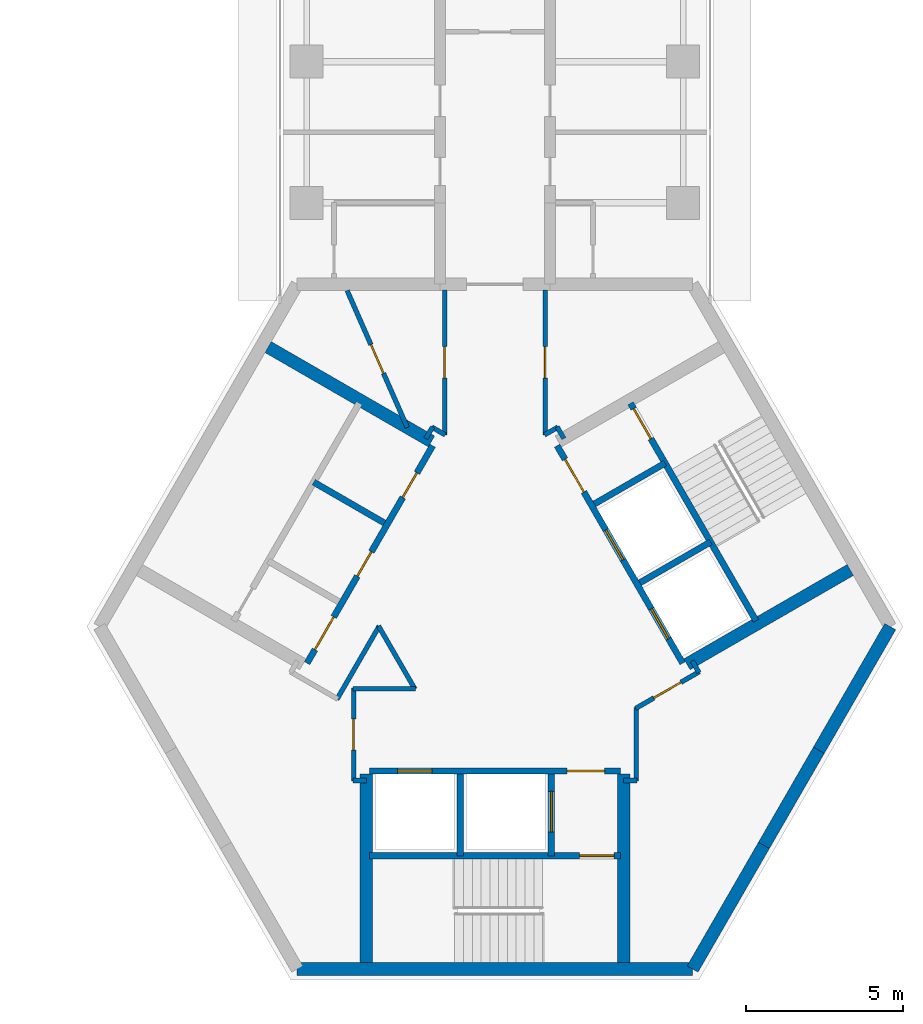
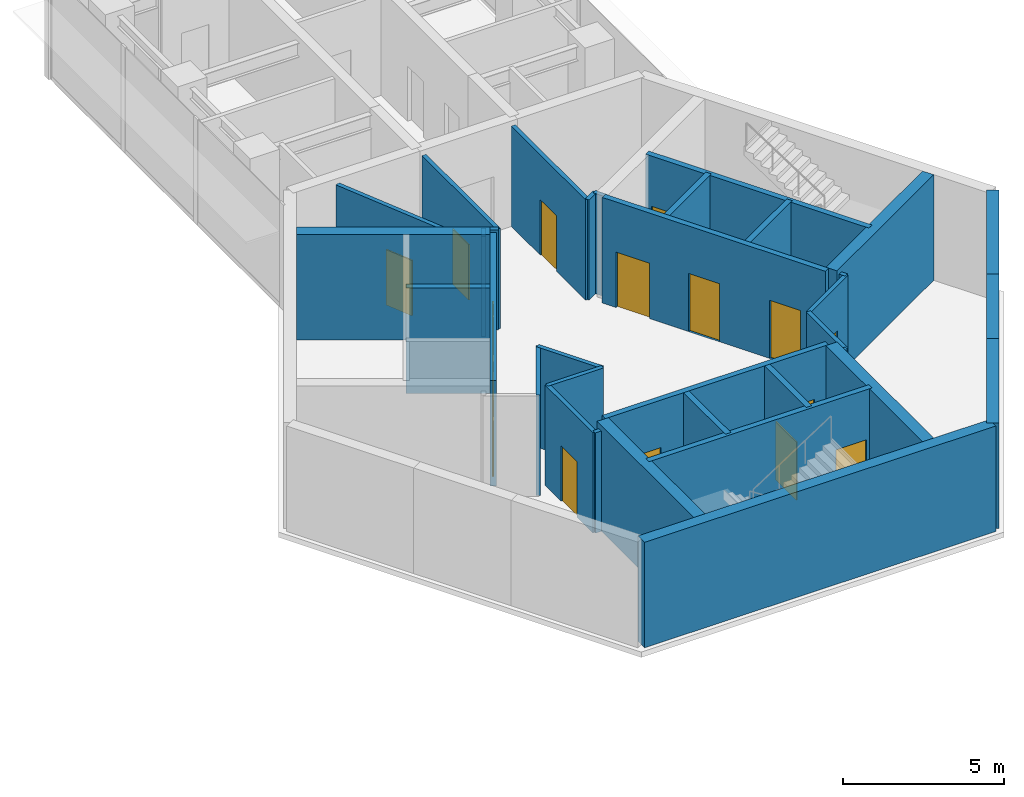
# One storey, part 8 of 11: 34 walls, 16 doors, 16 openings.
"""IFC4 building model written with IfcOpenShell, lengths in metres."""

from ifc_helpers import new_model, si_unit, direction, frame, frame_2d, origin, place, context, subcontext, project, spatial, rectangle, extrude, material, layer, layer_set, type_object, element, fill, save


model = new_model("IFC4")

# Units and contexts
model_context = context("Model", 3, precision=1e-05, world=origin(), true_north=direction((0.0, 1.0)))
body_context = subcontext(model_context, "Body", "Model", "MODEL_VIEW")
ifc_project = project(units=[si_unit("LENGTHUNIT", "METRE"), si_unit("AREAUNIT", "SQUARE_METRE"), si_unit("VOLUMEUNIT", "CUBIC_METRE"), si_unit("PLANEANGLEUNIT", "RADIAN"), si_unit("MASSUNIT", "GRAM", prefix="KILO")], contexts=[model_context])

# Site, building, storey
site_placement = place(None, origin())
site = spatial("IfcSite", under=ifc_project, at=site_placement, CompositionType="ELEMENT")
building_placement = place(site_placement, origin())
building = spatial("IfcBuilding", under=site, at=building_placement, Name="Upepo Twin Towers", CompositionType="ELEMENT")
storey_placement = place(building_placement, frame((0.0, 0.0, 251.5)))
storey = spatial("IfcBuildingStorey", under=building, at=storey_placement, Name="L61", CompositionType="ELEMENT", Elevation=251.5)

# Walls
ifc_material_1 = material(Name="Concrete C60/75", Category="concrete")
ifc_layer_1 = layer(ifc_material_1, 0.39990234375)
ifc_layer_set_1 = layer_set([ifc_layer_1], Name="Concrete C60/75")
wall_type_1 = type_object("IfcWallType", Name="Core wall 400 RC", PredefinedType="SHEAR", material=ifc_layer_set_1)
wall_1_placement = place(storey_placement, frame((52.2021484375, -28.908447265625, 0.0), z_axis=(0.0, 0.0, 1.0), x_axis=(1.0, 0.0, 0.0)))
element("IfcWall", 1, at=wall_1_placement, inside=storey, type_object=wall_type_1, Name="T2 core wall 180", PredefinedType="SHEAR", context=body_context, shape_type="SweptSolid", body=[
    extrude(rectangle(XDim=12.595703125, YDim=0.39990234375, at=frame_2d((6.2978515625, 0.0))), origin(), (0.0, 0.0, 1.0), 4.0),
])
wall_2_placement = place(storey_placement, frame((64.7978515625, -28.908447265625, 0.0), z_axis=(0.0, 0.0, 1.0), x_axis=(0.499984222037, 0.866034513004, 0.0)))
element("IfcWall", 2, at=wall_2_placement, inside=storey, type_object=wall_type_1, Name="T2 core wall 240 R", PredefinedType="SHEAR", context=body_context, shape_type="SweptSolid", body=[
    extrude(rectangle(XDim=4.548095703125, YDim=0.39990234375, at=frame_2d((2.27392578125, 0.0))), origin(), (0.0, 0.0, 1.0), 4.0),
])
wall_3_placement = place(storey_placement, frame((67.07177734375, -24.9697265625, 0.0), z_axis=(0.0, 0.0, 1.0), x_axis=(0.500010275428, 0.866019471182, 0.0)))
element("IfcWall", 3, at=wall_3_placement, inside=storey, type_object=wall_type_1, Name="T2 core wall 240", PredefinedType="SHEAR", context=body_context, shape_type="SweptSolid", body=[
    extrude(rectangle(XDim=3.5, YDim=0.39990234375, at=frame_2d((1.75, 0.0))), origin(), (0.0, 0.0, 1.0), 4.0),
])
wall_4_placement = place(storey_placement, frame((68.82177734375, -21.938720703125, 0.0), z_axis=(0.0, 0.0, 1.0), x_axis=(0.500024481964, 0.866011268655, 0.0)))
element("IfcWall", 4, at=wall_4_placement, inside=storey, type_object=wall_type_1, Name="T2 core wall 240 L", PredefinedType="SHEAR", context=body_context, shape_type="SweptSolid", body=[
    extrude(rectangle(XDim=4.548095703125, YDim=0.39990234375, at=frame_2d((2.27392578125, 0.0))), origin(), (0.0, 0.0, 1.0), 4.0),
])

# Wall, openings, doors
ifc_material_2 = material(Name="Concrete C40/50", Category="concrete")
ifc_layer_2 = layer(ifc_material_2, 0.199951171875)
ifc_layer_set_2 = layer_set([ifc_layer_2], Name="Concrete C40/50")
wall_type_2 = type_object("IfcWallType", Name="Shaft wall 200 RC", PredefinedType="SHEAR", material=ifc_layer_set_2)
wall_5_placement = place(storey_placement, frame((56.516357421875, -12.23583984375, 0.0), z_axis=(0.0, 0.0, 1.0), x_axis=(-0.49999894854, -0.866026010844, 0.0)))
wall_5 = element("IfcWall", 5, at=wall_5_placement, inside=storey, type_object=wall_type_2, Name="T2 core W60 front wall", PredefinedType="SHEAR", context=body_context, shape_type="SweptSolid", body=[
    extrude(rectangle(XDim=8.0, YDim=0.199951171875, at=frame_2d((4.0, 0.0))), origin(), (0.0, 0.0, 1.0), 4.0),
])
opening_1_placement = place(wall_5_placement, frame((6.300048828125, 0.0, 0.0)))
opening_1 = element("IfcOpeningElement", 6, at=opening_1_placement, cuts=wall_5, Name="Opening D4", PredefinedType="OPENING", context=body_context, shape_type="SweptSolid", body=[
    extrude(rectangle(XDim=1.199951171875, YDim=2.10009765625, at=frame_2d((0.60009765625, 1.050048828125))), frame((0.0, 0.10986328125, 0.0), z_axis=(0.0, -1.0, 0.0), x_axis=(1.0, 0.0, 0.0)), (0.0, 0.0, 1.0), 0.219970703125),
])
opening_2_placement = place(wall_5_placement, frame((1.0, 0.0, 0.0)))
opening_2 = element("IfcOpeningElement", 7, at=opening_2_placement, cuts=wall_5, Name="Opening D9", PredefinedType="OPENING", context=body_context, shape_type="SweptSolid", body=[
    extrude(rectangle(XDim=0.89990234375, YDim=2.10009765625, at=frame_2d((0.449951171875, 1.050048828125))), frame((0.0, 0.10986328125, 0.0), z_axis=(0.0, -1.0, 0.0), x_axis=(1.0, 0.0, 0.0)), (0.0, 0.0, 1.0), 0.219970703125),
])
opening_3_placement = place(wall_5_placement, frame((3.89990234375, 0.0, 0.0)))
opening_3 = element("IfcOpeningElement", 8, at=opening_3_placement, cuts=wall_5, Name="Opening D9", PredefinedType="OPENING", context=body_context, shape_type="SweptSolid", body=[
    extrude(rectangle(XDim=0.89990234375, YDim=2.10009765625, at=frame_2d((0.449951171875, 1.050048828125))), frame((0.0, 0.10986328125, 0.0), z_axis=(0.0, -1.0, 0.0), x_axis=(1.0, 0.0, 0.0)), (0.0, 0.0, 1.0), 0.219970703125),
])
ifc_material_3 = material(Name="Timber doorset", Category="wood")
door_type_1 = type_object("IfcDoorType", Name="Lobby door 1200 FD60", OperationType="SINGLE_SWING_LEFT", PredefinedType="DOOR", material=ifc_material_3)
door_1_placement = place(opening_1_placement, origin())
door_1 = element("IfcDoor", 9, at=door_1_placement, inside=storey, type_object=door_type_1, Name="T2 L61 W60 lobby door", OperationType="SINGLE_SWING_RIGHT", OverallHeight=2.10009765625, OverallWidth=1.199951171875, PredefinedType="DOOR", context=body_context, shape_type="SweptSolid", body=[
    extrude(rectangle(XDim=1.199951171875, YDim=2.10009765625, at=frame_2d((0.60009765625, 1.050048828125))), frame((0.0, 0.02490234375, 0.0), z_axis=(0.0, -1.0, 0.0), x_axis=(1.0, 0.0, 0.0)), (0.0, 0.0, 1.0), 0.050048828125),
])
fill(opening_1, door_1)
ifc_material_4 = material(Name="Timber doorset", Category="wood")
door_type_2 = type_object("IfcDoorType", Name="Riser door 900 FD60", OperationType="SINGLE_SWING_LEFT", PredefinedType="DOOR", material=ifc_material_4)
door_2_placement = place(opening_2_placement, origin())
door_2 = element("IfcDoor", 10, at=door_2_placement, inside=storey, type_object=door_type_2, Name="T2 L61 it and communications room door", OperationType="SINGLE_SWING_LEFT", OverallHeight=2.10009765625, OverallWidth=0.89990234375, PredefinedType="DOOR", context=body_context, shape_type="SweptSolid", body=[
    extrude(rectangle(XDim=0.89990234375, YDim=2.10009765625, at=frame_2d((0.449951171875, 1.050048828125))), frame((0.0, 0.02490234375, 0.0), z_axis=(0.0, -1.0, 0.0), x_axis=(1.0, 0.0, 0.0)), (0.0, 0.0, 1.0), 0.050048828125),
])
fill(opening_2, door_2)
door_3_placement = place(opening_3_placement, origin())
door_3 = element("IfcDoor", 11, at=door_3_placement, inside=storey, type_object=door_type_2, Name="T2 L61 cleaner's store door", OperationType="SINGLE_SWING_RIGHT", OverallHeight=2.10009765625, OverallWidth=0.89990234375, PredefinedType="DOOR", context=body_context, shape_type="SweptSolid", body=[
    extrude(rectangle(XDim=0.89990234375, YDim=2.10009765625, at=frame_2d((0.449951171875, 1.050048828125))), frame((0.0, 0.02490234375, 0.0), z_axis=(0.0, -1.0, 0.0), x_axis=(1.0, 0.0, 0.0)), (0.0, 0.0, 1.0), 0.050048828125),
])
fill(opening_3, door_3)

# Wall
wall_6_placement = place(storey_placement, frame((54.979736328125, -14.697265625, 0.0), z_axis=(0.0, 0.0, 1.0), x_axis=(-0.866062058628, 0.499936506574, 0.0)))
element("IfcWall", 12, at=wall_6_placement, inside=storey, type_object=wall_type_2, Name="T2 core W60 shaft divider", PredefinedType="SHEAR", context=body_context, shape_type="SweptSolid", body=[
    extrude(rectangle(XDim=2.599853515625, YDim=0.199951171875, at=frame_2d((1.2998046875, 0.0))), origin(), (0.0, 0.0, 1.0), 4.0),
])

# Wall, openings, doors
wall_7_placement = place(storey_placement, frame((54.5, -22.60009765625, 0.0), z_axis=(0.0, 0.0, 1.0), x_axis=(1.0, 0.0, 0.0)))
wall_7 = element("IfcWall", 13, at=wall_7_placement, inside=storey, type_object=wall_type_2, Name="T2 core W180 front wall", PredefinedType="SHEAR", context=body_context, shape_type="SweptSolid", body=[
    extrude(rectangle(XDim=8.0, YDim=0.199951171875, at=frame_2d((4.0, 0.0))), origin(), (0.0, 0.0, 1.0), 4.0),
])
opening_4_placement = place(wall_7_placement, frame((6.300048828125, 0.0, 0.0)))
opening_4 = element("IfcOpeningElement", 14, at=opening_4_placement, cuts=wall_7, Name="Opening D4", PredefinedType="OPENING", context=body_context, shape_type="SweptSolid", body=[
    extrude(rectangle(XDim=1.199951171875, YDim=2.10009765625, at=frame_2d((0.60009765625, 1.050048828125))), frame((0.0, 0.10986328125, 0.0), z_axis=(0.0, -1.0, 0.0), x_axis=(1.0, 0.0, 0.0)), (0.0, 0.0, 1.0), 0.219970703125),
])
opening_5_placement = place(wall_7_placement, frame((0.89990234375, 0.0, 0.0)))
opening_5 = element("IfcOpeningElement", 15, at=opening_5_placement, cuts=wall_7, Name="Opening LD1", PredefinedType="OPENING", context=body_context, shape_type="SweptSolid", body=[
    extrude(rectangle(XDim=1.10009765625, YDim=2.199951171875, at=frame_2d((0.550048828125, 1.10009765625))), frame((0.0, 0.10986328125, 0.0), z_axis=(0.0, -1.0, 0.0), x_axis=(1.0, 0.0, 0.0)), (0.0, 0.0, 1.0), 0.219970703125),
])
ifc_material_5 = material(Name="Steel doorset", Category="steel")
door_type_3 = type_object("IfcDoorType", Name="Lift landing door 1100", OperationType="DOUBLE_DOOR_SLIDING", PredefinedType="DOOR", material=ifc_material_5)
door_4_placement = place(opening_5_placement, origin())
door_4 = element("IfcDoor", 16, at=door_4_placement, inside=storey, type_object=door_type_3, Name="T2 L61 lift SV1 landing door", OperationType="DOUBLE_DOOR_SLIDING", OverallHeight=2.199951171875, OverallWidth=1.10009765625, PredefinedType="DOOR", context=body_context, shape_type="SweptSolid", body=[
    extrude(rectangle(XDim=1.10009765625, YDim=2.199951171875, at=frame_2d((0.550048828125, 1.10009765625))), frame((0.0, 0.02490234375, 0.0), z_axis=(0.0, -1.0, 0.0), x_axis=(1.0, 0.0, 0.0)), (0.0, 0.0, 1.0), 0.050048828125),
])
fill(opening_5, door_4)
door_5_placement = place(opening_4_placement, origin())
door_5 = element("IfcDoor", 17, at=door_5_placement, inside=storey, type_object=door_type_1, Name="T2 L61 W180 lobby door", OperationType="SINGLE_SWING_RIGHT", OverallHeight=2.10009765625, OverallWidth=1.199951171875, PredefinedType="DOOR", context=body_context, shape_type="SweptSolid", body=[
    extrude(rectangle(XDim=1.199951171875, YDim=2.10009765625, at=frame_2d((0.60009765625, 1.050048828125))), frame((0.0, 0.02490234375, 0.0), z_axis=(0.0, -1.0, 0.0), x_axis=(1.0, 0.0, 0.0)), (0.0, 0.0, 1.0), 0.050048828125),
])
fill(opening_4, door_5)

# Wall
wall_8_placement = place(storey_placement, frame((57.39990234375, -22.699951171875, 0.0), z_axis=(0.0, 0.0, 1.0), x_axis=(0.0, -1.0, 0.0)))
element("IfcWall", 18, at=wall_8_placement, inside=storey, type_object=wall_type_2, Name="T2 core W180 shaft divider", PredefinedType="SHEAR", context=body_context, shape_type="SweptSolid", body=[
    extrude(rectangle(XDim=2.60009765625, YDim=0.199951171875, at=frame_2d((1.300048828125, 0.0))), origin(), (0.0, 0.0, 1.0), 4.0),
])

# Wall, opening, door
wall_9_placement = place(storey_placement, frame((60.300048828125, -22.699951171875, 0.0), z_axis=(0.0, 0.0, 1.0), x_axis=(0.0, -1.0, 0.0)))
wall_9 = element("IfcWall", 19, at=wall_9_placement, inside=storey, type_object=wall_type_2, Name="T2 core W180 lobby wall", PredefinedType="SHEAR", context=body_context, shape_type="SweptSolid", body=[
    extrude(rectangle(XDim=2.60009765625, YDim=0.199951171875, at=frame_2d((1.300048828125, 0.0))), origin(), (0.0, 0.0, 1.0), 4.0),
])
opening_6_placement = place(wall_9_placement, frame((0.550048828125, 0.0, 0.0)))
opening_6 = element("IfcOpeningElement", 20, at=opening_6_placement, cuts=wall_9, Name="Opening LD2", PredefinedType="OPENING", context=body_context, shape_type="SweptSolid", body=[
    extrude(rectangle(XDim=1.300048828125, YDim=2.199951171875, at=frame_2d((0.64990234375, 1.10009765625))), frame((0.0, 0.10986328125, 0.0), z_axis=(0.0, -1.0, 0.0), x_axis=(1.0, 0.0, 0.0)), (0.0, 0.0, 1.0), 0.219970703125),
])
ifc_material_6 = material(Name="Steel doorset", Category="steel")
door_type_4 = type_object("IfcDoorType", Name="Firefighting lift landing door 1300", OperationType="DOUBLE_DOOR_SLIDING", PredefinedType="DOOR", material=ifc_material_6)
door_6_placement = place(opening_6_placement, origin())
door_6 = element("IfcDoor", 21, at=door_6_placement, inside=storey, type_object=door_type_4, Name="T2 L61 firefighting lift landing door", OperationType="DOUBLE_DOOR_SLIDING", OverallHeight=2.199951171875, OverallWidth=1.300048828125, PredefinedType="DOOR", context=body_context, shape_type="SweptSolid", body=[
    extrude(rectangle(XDim=1.300048828125, YDim=2.199951171875, at=frame_2d((0.64990234375, 1.10009765625))), frame((0.0, 0.02490234375, 0.0), z_axis=(0.0, -1.0, 0.0), x_axis=(1.0, 0.0, 0.0)), (0.0, 0.0, 1.0), 0.050048828125),
])
fill(opening_6, door_6)

wall_10_placement = place(storey_placement, frame((54.5, -25.300048828125, 0.0), z_axis=(0.0, 0.0, 1.0), x_axis=(1.0, 0.0, 0.0)))
wall_10 = element("IfcWall", 22, at=wall_10_placement, inside=storey, type_object=wall_type_2, Name="T2 core W180 stair wall", PredefinedType="SHEAR", context=body_context, shape_type="SweptSolid", body=[
    extrude(rectangle(XDim=8.0, YDim=0.199951171875, at=frame_2d((4.0, 0.0))), origin(), (0.0, 0.0, 1.0), 4.0),
])
opening_7_placement = place(wall_10_placement, frame((6.699951171875, 0.0, 0.0)))
opening_7 = element("IfcOpeningElement", 23, at=opening_7_placement, cuts=wall_10, Name="Opening D3", PredefinedType="OPENING", context=body_context, shape_type="SweptSolid", body=[
    extrude(rectangle(XDim=1.10009765625, YDim=2.10009765625, at=frame_2d((0.550048828125, 1.050048828125))), frame((0.0, 0.10986328125, 0.0), z_axis=(0.0, -1.0, 0.0), x_axis=(1.0, 0.0, 0.0)), (0.0, 0.0, 1.0), 0.219970703125),
])
ifc_material_7 = material(Name="Timber doorset", Category="wood")
door_type_5 = type_object("IfcDoorType", Name="Stair door 1100 FD60", OperationType="SINGLE_SWING_LEFT", PredefinedType="DOOR", material=ifc_material_7)
door_7_placement = place(opening_7_placement, origin())
door_7 = element("IfcDoor", 24, at=door_7_placement, inside=storey, type_object=door_type_5, Name="T2 L61 stair door", OperationType="SINGLE_SWING_RIGHT", OverallHeight=2.10009765625, OverallWidth=1.10009765625, PredefinedType="DOOR", context=body_context, shape_type="SweptSolid", body=[
    extrude(rectangle(XDim=1.10009765625, YDim=2.10009765625, at=frame_2d((0.550048828125, 1.050048828125))), frame((0.0, 0.02490234375, 0.0), z_axis=(0.0, -1.0, 0.0), x_axis=(1.0, 0.0, 0.0)), (0.0, 0.0, 1.0), 0.050048828125),
])
fill(opening_7, door_7)

# Wall, openings, doors
wall_11_placement = place(storey_placement, frame((64.483642578125, -19.1640625, 0.0), z_axis=(0.0, 0.0, 1.0), x_axis=(-0.49999894854, 0.866026010844, 0.0)))
wall_11 = element("IfcWall", 25, at=wall_11_placement, inside=storey, type_object=wall_type_2, Name="T2 core W300 front wall", PredefinedType="SHEAR", context=body_context, shape_type="SweptSolid", body=[
    extrude(rectangle(XDim=8.0, YDim=0.199951171875, at=frame_2d((4.0, 0.0))), origin(), (0.0, 0.0, 1.0), 4.0),
])
opening_8_placement = place(wall_11_placement, frame((6.300048828125, 0.0, 0.0)))
opening_8 = element("IfcOpeningElement", 26, at=opening_8_placement, cuts=wall_11, Name="Opening D4", PredefinedType="OPENING", context=body_context, shape_type="SweptSolid", body=[
    extrude(rectangle(XDim=1.199951171875, YDim=2.10009765625, at=frame_2d((0.60009765625, 1.050048828125))), frame((0.0, 0.10986328125, 0.0), z_axis=(0.0, -1.0, 0.0), x_axis=(1.0, 0.0, 0.0)), (0.0, 0.0, 1.0), 0.219970703125),
])
opening_9_placement = place(wall_11_placement, frame((0.89990234375, 0.0, 0.0)))
opening_9 = element("IfcOpeningElement", 27, at=opening_9_placement, cuts=wall_11, Name="Opening LD1", PredefinedType="OPENING", context=body_context, shape_type="SweptSolid", body=[
    extrude(rectangle(XDim=1.10009765625, YDim=2.199951171875, at=frame_2d((0.550048828125, 1.10009765625))), frame((0.0, 0.10986328125, 0.0), z_axis=(0.0, -1.0, 0.0), x_axis=(1.0, 0.0, 0.0)), (0.0, 0.0, 1.0), 0.219970703125),
])
opening_10_placement = place(wall_11_placement, frame((3.800048828125, 0.0, 0.0)))
opening_10 = element("IfcOpeningElement", 28, at=opening_10_placement, cuts=wall_11, Name="Opening LD1", PredefinedType="OPENING", context=body_context, shape_type="SweptSolid", body=[
    extrude(rectangle(XDim=1.10009765625, YDim=2.199951171875, at=frame_2d((0.550048828125, 1.10009765625))), frame((0.0, 0.10986328125, 0.0), z_axis=(0.0, -1.0, 0.0), x_axis=(1.0, 0.0, 0.0)), (0.0, 0.0, 1.0), 0.219970703125),
])
door_8_placement = place(opening_9_placement, origin())
door_8 = element("IfcDoor", 29, at=door_8_placement, inside=storey, type_object=door_type_3, Name="T2 L61 lift TL1 landing door", OperationType="DOUBLE_DOOR_SLIDING", OverallHeight=2.199951171875, OverallWidth=1.10009765625, PredefinedType="DOOR", context=body_context, shape_type="SweptSolid", body=[
    extrude(rectangle(XDim=1.10009765625, YDim=2.199951171875, at=frame_2d((0.550048828125, 1.10009765625))), frame((0.0, 0.02490234375, 0.0), z_axis=(0.0, -1.0, 0.0), x_axis=(1.0, 0.0, 0.0)), (0.0, 0.0, 1.0), 0.050048828125),
])
fill(opening_9, door_8)
door_9_placement = place(opening_10_placement, origin())
door_9 = element("IfcDoor", 30, at=door_9_placement, inside=storey, type_object=door_type_3, Name="T2 L61 lift TL2 landing door", OperationType="DOUBLE_DOOR_SLIDING", OverallHeight=2.199951171875, OverallWidth=1.10009765625, PredefinedType="DOOR", context=body_context, shape_type="SweptSolid", body=[
    extrude(rectangle(XDim=1.10009765625, YDim=2.199951171875, at=frame_2d((0.550048828125, 1.10009765625))), frame((0.0, 0.02490234375, 0.0), z_axis=(0.0, -1.0, 0.0), x_axis=(1.0, 0.0, 0.0)), (0.0, 0.0, 1.0), 0.050048828125),
])
fill(opening_10, door_9)
door_10_placement = place(opening_8_placement, origin())
door_10 = element("IfcDoor", 31, at=door_10_placement, inside=storey, type_object=door_type_1, Name="T2 L61 W300 lobby door", OperationType="SINGLE_SWING_RIGHT", OverallHeight=2.10009765625, OverallWidth=1.199951171875, PredefinedType="DOOR", context=body_context, shape_type="SweptSolid", body=[
    extrude(rectangle(XDim=1.199951171875, YDim=2.10009765625, at=frame_2d((0.60009765625, 1.050048828125))), frame((0.0, 0.02490234375, 0.0), z_axis=(0.0, -1.0, 0.0), x_axis=(1.0, 0.0, 0.0)), (0.0, 0.0, 1.0), 0.050048828125),
])
fill(opening_8, door_10)

# Walls
wall_12_placement = place(storey_placement, frame((63.120361328125, -16.6025390625, 0.0), z_axis=(0.0, 0.0, 1.0), x_axis=(0.866062058628, 0.499936506574, 0.0)))
element("IfcWall", 32, at=wall_12_placement, inside=storey, type_object=wall_type_2, Name="T2 core W300 shaft divider", PredefinedType="SHEAR", context=body_context, shape_type="SweptSolid", body=[
    extrude(rectangle(XDim=2.599853515625, YDim=0.199951171875, at=frame_2d((1.2998046875, 0.0))), origin(), (0.0, 0.0, 1.0), 4.0),
])
wall_13_placement = place(storey_placement, frame((61.67041015625, -14.091064453125, 0.0), z_axis=(0.0, 0.0, 1.0), x_axis=(0.86603858612, 0.49997716683, 0.0)))
element("IfcWall", 33, at=wall_13_placement, inside=storey, type_object=wall_type_2, Name="T2 core W300 lobby wall", PredefinedType="SHEAR", context=body_context, shape_type="SweptSolid", body=[
    extrude(rectangle(XDim=2.599609375, YDim=0.199951171875, at=frame_2d((1.2998046875, 0.0))), origin(), (0.0, 0.0, 1.0), 4.0),
])

# Wall, opening, door
wall_14_placement = place(storey_placement, frame((66.822021484375, -17.814208984375, 0.0), z_axis=(0.0, 0.0, 1.0), x_axis=(-0.49999894854, 0.866026010844, 0.0)))
wall_14 = element("IfcWall", 34, at=wall_14_placement, inside=storey, type_object=wall_type_2, Name="T2 core W300 stair wall", PredefinedType="SHEAR", context=body_context, shape_type="SweptSolid", body=[
    extrude(rectangle(XDim=8.0, YDim=0.199951171875, at=frame_2d((4.0, 0.0))), origin(), (0.0, 0.0, 1.0), 4.0),
])
opening_11_placement = place(wall_14_placement, frame((6.699951171875, 0.0, 0.0)))
opening_11 = element("IfcOpeningElement", 35, at=opening_11_placement, cuts=wall_14, Name="Opening D3", PredefinedType="OPENING", context=body_context, shape_type="SweptSolid", body=[
    extrude(rectangle(XDim=1.10009765625, YDim=2.10009765625, at=frame_2d((0.550048828125, 1.050048828125))), frame((0.0, 0.10986328125, 0.0), z_axis=(0.0, -1.0, 0.0), x_axis=(1.0, 0.0, 0.0)), (0.0, 0.0, 1.0), 0.219970703125),
])
door_11_placement = place(opening_11_placement, origin())
door_11 = element("IfcDoor", 36, at=door_11_placement, inside=storey, type_object=door_type_5, Name="T2 L61 stair door", OperationType="SINGLE_SWING_RIGHT", OverallHeight=2.10009765625, OverallWidth=1.10009765625, PredefinedType="DOOR", context=body_context, shape_type="SweptSolid", body=[
    extrude(rectangle(XDim=1.10009765625, YDim=2.10009765625, at=frame_2d((0.550048828125, 1.050048828125))), frame((0.0, 0.02490234375, 0.0), z_axis=(0.0, -1.0, 0.0), x_axis=(1.0, 0.0, 0.0)), (0.0, 0.0, 1.0), 0.050048828125),
])
fill(opening_11, door_11)

# Walls
ifc_material_8 = material(Name="Concrete C40/50", Category="concrete")
ifc_layer_3 = layer(ifc_material_8, 0.39990234375)
ifc_layer_set_3 = layer_set([ifc_layer_3], Name="Concrete C40/50")
wall_type_3 = type_object("IfcWallType", Name="Shaft wall 400 RC", PredefinedType="SHEAR", material=ifc_layer_set_3)
for number, where, z_axis, x_axis, name in (
    (37, (56.479736328125, -12.099365234375, 0.0), (0.0, 0.0, 1.0), (-0.866026570101, 0.499997979876, 0.0), "T2 core W60 side wall S"),
    (38, (62.60009765625, -22.699951171875, 0.0), (0.0, 0.0, 1.0), (0.0, -1.0, 0.0), "T2 core W180 side wall N"),
    (39, (54.39990234375, -22.699951171875, 0.0), (0.0, 0.0, 1.0), (0.0, -1.0, 0.0), "T2 core W180 side wall S"),
    (40, (64.620361328125, -19.20068359375, 0.0), (0.0, 0.0, 1.0), (0.866026570101, 0.499997979876, 0.0), "T2 core W300 side wall S"),
):
    element("IfcWall", number, at=place(storey_placement, frame(where, z_axis=z_axis, x_axis=x_axis)), inside=storey, type_object=wall_type_3, Name=name, PredefinedType="SHEAR", context=body_context, shape_type="SweptSolid", body=[
        extrude(rectangle(XDim=6.00830078125, YDim=0.39990234375, at=frame_2d((3.004150390625, 0.0))), origin(), (0.0, 0.0, 1.0), 4.0),
    ])
ifc_material_9 = material(Name="Gypsum board on steel studs", Category="steel")
ifc_layer_4 = layer(ifc_material_9, 0.14990234375)
ifc_layer_set_4 = layer_set([ifc_layer_4], Name="Teaching partition 150 acoustic")
wall_type_4 = type_object("IfcWallType", Name="Teaching partition 150 acoustic", PredefinedType="PARTITIONING", material=ifc_layer_set_4)
for number, where, z_axis, x_axis, name in (
    (41, (63.02001953125, -22.89990234375, 0.0), (0.0, 0.0, 1.0), (-1.0, 0.0, 0.0), "T2 core room partition 1"),
    (42, (54.409912109375, -22.89990234375, 0.0), (0.0, 0.0, 1.0), (-1.0, 0.0, 0.0), "T2 core room partition 2"),
):
    element("IfcWall", number, at=place(storey_placement, frame(where, z_axis=z_axis, x_axis=x_axis)), inside=storey, type_object=wall_type_4, Name=name, PredefinedType="PARTITIONING", context=body_context, shape_type="SweptSolid", body=[
        extrude(rectangle(XDim=0.429931640625, YDim=0.14990234375, at=frame_2d((0.21484375, 0.0))), origin(), (0.0, 0.0, 1.0), 3.800048828125),
    ])

# Wall, opening, door
wall_15_placement = place(storey_placement, frame((54.0, -22.919921875, 0.0), z_axis=(0.0, 0.0, 1.0), x_axis=(0.0, 1.0, 0.0)))
wall_15 = element("IfcWall", 43, at=wall_15_placement, inside=storey, type_object=wall_type_4, Name="T2 core room partition 3", PredefinedType="PARTITIONING", context=body_context, shape_type="SweptSolid", body=[
    extrude(rectangle(XDim=2.96484375, YDim=0.14990234375, at=frame_2d((1.482421875, 0.0))), origin(), (0.0, 0.0, 1.0), 3.800048828125),
])
opening_12_placement = place(wall_15_placement, frame((0.982421875, 0.0, 0.0)))
opening_12 = element("IfcOpeningElement", 44, at=opening_12_placement, cuts=wall_15, Name="Opening D1", PredefinedType="OPENING", context=body_context, shape_type="SweptSolid", body=[
    extrude(rectangle(XDim=1.0, YDim=2.10009765625, at=frame_2d((0.5, 1.050048828125))), frame((0.0, 0.0849609375, 0.0), z_axis=(0.0, -1.0, 0.0), x_axis=(1.0, 0.0, 0.0)), (0.0, 0.0, 1.0), 0.169921875),
])
ifc_material_10 = material(Name="Timber doorset", Category="wood")
door_type_6 = type_object("IfcDoorType", Name="Room door 1000 FD30", OperationType="SINGLE_SWING_LEFT", PredefinedType="DOOR", material=ifc_material_10)
door_12_placement = place(opening_12_placement, origin())
door_12 = element("IfcDoor", 45, at=door_12_placement, inside=storey, type_object=door_type_6, Name="T2 L61 core room door K1", OperationType="SINGLE_SWING_RIGHT", OverallHeight=2.10009765625, OverallWidth=1.0, PredefinedType="DOOR", context=body_context, shape_type="SweptSolid", body=[
    extrude(rectangle(XDim=1.0, YDim=2.10009765625, at=frame_2d((0.5, 1.050048828125))), frame((0.0, 0.02490234375, 0.0), z_axis=(0.0, -1.0, 0.0), x_axis=(1.0, 0.0, 0.0)), (0.0, 0.0, 1.0), 0.050048828125),
])
fill(opening_12, door_12)

# Walls
wall_16_placement = place(storey_placement, frame((53.97998046875, -19.97509765625, 0.0), z_axis=(0.0, 0.0, 1.0), x_axis=(1.0, 0.0, 0.0)))
element("IfcWall", 46, at=wall_16_placement, inside=storey, type_object=wall_type_4, Name="T2 core room partition 4", PredefinedType="PARTITIONING", context=body_context, shape_type="SweptSolid", body=[
    extrude(rectangle(XDim=1.985107421875, YDim=0.14990234375, at=frame_2d((0.99267578125, 0.0))), origin(), (0.0, 0.0, 1.0), 3.800048828125),
])
wall_17_placement = place(storey_placement, frame((55.955078125, -19.992431640625, 0.0), z_axis=(0.0, 0.0, 1.0), x_axis=(-0.499941024108, 0.866059450854, 0.0)))
element("IfcWall", 47, at=wall_17_placement, inside=storey, type_object=wall_type_4, Name="T2 core room partition 5", PredefinedType="PARTITIONING", context=body_context, shape_type="SweptSolid", body=[
    extrude(rectangle(XDim=2.320556640625, YDim=0.14990234375, at=frame_2d((1.16015625, 0.0))), origin(), (0.0, 0.0, 1.0), 3.800048828125),
])
wall_18_placement = place(storey_placement, frame((54.81494140625, -17.982666015625, 0.0), z_axis=(0.0, 0.0, 1.0), x_axis=(-0.499981473571, -0.866036099759, 0.0)))
element("IfcWall", 48, at=wall_18_placement, inside=storey, type_object=wall_type_4, Name="T2 core room partition 6", PredefinedType="PARTITIONING", context=body_context, shape_type="SweptSolid", body=[
    extrude(rectangle(XDim=2.6923828125, YDim=0.14990234375, at=frame_2d((1.34619140625, 0.0))), origin(), (0.0, 0.0, 1.0), 3.800048828125),
])
wall_19_placement = place(storey_placement, frame((56.301513671875, -12.0078125, 0.0), z_axis=(0.0, 0.0, 1.0), x_axis=(0.500230298122, 0.865892400268, 0.0)))
element("IfcWall", 49, at=wall_19_placement, inside=storey, type_object=wall_type_4, Name="T2 core room partition 9", PredefinedType="PARTITIONING", context=body_context, shape_type="SweptSolid", body=[
    extrude(rectangle(XDim=0.429931640625, YDim=0.14990234375, at=frame_2d((0.21484375, 0.0))), origin(), (0.0, 0.0, 1.0), 3.800048828125),
])
wall_20_placement = place(storey_placement, frame((56.4892578125, -11.642822265625, 0.0), z_axis=(0.0, 0.0, 1.0), x_axis=(0.865831790172, -0.50033519877, 0.0)))
element("IfcWall", 50, at=wall_20_placement, inside=storey, type_object=wall_type_4, Name="T2 core room partition 10", PredefinedType="PARTITIONING", context=body_context, shape_type="SweptSolid", body=[
    extrude(rectangle(XDim=0.494384765625, YDim=0.14990234375, at=frame_2d((0.2470703125, 0.0))), origin(), (0.0, 0.0, 1.0), 3.800048828125),
])

# Wall, opening, door
wall_21_placement = place(storey_placement, frame((56.89990234375, -11.900146484375, 0.0), z_axis=(0.0, 0.0, 1.0), x_axis=(0.0, 1.0, 0.0)))
wall_21 = element("IfcWall", 51, at=wall_21_placement, inside=storey, type_object=wall_type_4, Name="T2 core room partition 11", PredefinedType="PARTITIONING", context=body_context, shape_type="SweptSolid", body=[
    extrude(rectangle(XDim=4.618408203125, YDim=0.14990234375, at=frame_2d((2.30908203125, 0.0))), origin(), (0.0, 0.0, 1.0), 3.800048828125),
])
opening_13_placement = place(wall_21_placement, frame((1.8193359375, 0.0, 0.0)))
opening_13 = element("IfcOpeningElement", 52, at=opening_13_placement, cuts=wall_21, Name="Opening D1", PredefinedType="OPENING", context=body_context, shape_type="SweptSolid", body=[
    extrude(rectangle(XDim=1.0, YDim=2.10009765625, at=frame_2d((0.5, 1.050048828125))), frame((0.0, 0.0849609375, 0.0), z_axis=(0.0, -1.0, 0.0), x_axis=(1.0, 0.0, 0.0)), (0.0, 0.0, 1.0), 0.169921875),
])
door_13_placement = place(opening_13_placement, origin())
door_13 = element("IfcDoor", 53, at=door_13_placement, inside=storey, type_object=door_type_6, Name="T2 L61 core room door K5", OperationType="SINGLE_SWING_RIGHT", OverallHeight=2.10009765625, OverallWidth=1.0, PredefinedType="DOOR", context=body_context, shape_type="SweptSolid", body=[
    extrude(rectangle(XDim=1.0, YDim=2.10009765625, at=frame_2d((0.5, 1.050048828125))), frame((0.0, 0.02490234375, 0.0), z_axis=(0.0, -1.0, 0.0), x_axis=(1.0, 0.0, 0.0)), (0.0, 0.0, 1.0), 0.050048828125),
])
fill(opening_13, door_13)

wall_22_placement = place(storey_placement, frame((60.10009765625, -7.28173828125, 0.0), z_axis=(0.0, 0.0, 1.0), x_axis=(0.0, -1.0, 0.0)))
wall_22 = element("IfcWall", 54, at=wall_22_placement, inside=storey, type_object=wall_type_4, Name="T2 core room partition 12", PredefinedType="PARTITIONING", context=body_context, shape_type="SweptSolid", body=[
    extrude(rectangle(XDim=4.618408203125, YDim=0.14990234375, at=frame_2d((2.30908203125, 0.0))), origin(), (0.0, 0.0, 1.0), 3.800048828125),
])
opening_14_placement = place(wall_22_placement, frame((1.799072265625, 0.0, 0.0)))
opening_14 = element("IfcOpeningElement", 55, at=opening_14_placement, cuts=wall_22, Name="Opening D1", PredefinedType="OPENING", context=body_context, shape_type="SweptSolid", body=[
    extrude(rectangle(XDim=1.0, YDim=2.10009765625, at=frame_2d((0.5, 1.050048828125))), frame((0.0, 0.0849609375, 0.0), z_axis=(0.0, -1.0, 0.0), x_axis=(1.0, 0.0, 0.0)), (0.0, 0.0, 1.0), 0.169921875),
])
door_14_placement = place(opening_14_placement, origin())
door_14 = element("IfcDoor", 56, at=door_14_placement, inside=storey, type_object=door_type_6, Name="T2 L61 core room door K3", OperationType="SINGLE_SWING_LEFT", OverallHeight=2.10009765625, OverallWidth=1.0, PredefinedType="DOOR", context=body_context, shape_type="SweptSolid", body=[
    extrude(rectangle(XDim=1.0, YDim=2.10009765625, at=frame_2d((0.5, 1.050048828125))), frame((0.0, 0.02490234375, 0.0), z_axis=(0.0, -1.0, 0.0), x_axis=(1.0, 0.0, 0.0)), (0.0, 0.0, 1.0), 0.050048828125),
])
fill(opening_14, door_14)

# Walls
wall_23_placement = place(storey_placement, frame((60.082763671875, -11.89013671875, 0.0), z_axis=(0.0, 0.0, 1.0), x_axis=(0.865831790172, 0.50033519877, 0.0)))
element("IfcWall", 57, at=wall_23_placement, inside=storey, type_object=wall_type_4, Name="T2 core room partition 13", PredefinedType="PARTITIONING", context=body_context, shape_type="SweptSolid", body=[
    extrude(rectangle(XDim=0.494384765625, YDim=0.14990234375, at=frame_2d((0.2470703125, 0.0))), origin(), (0.0, 0.0, 1.0), 3.800048828125),
])
for number, where, z_axis, x_axis, name in (
    (58, (60.4833984375, -11.635498046875, 0.0), (0.0, 0.0, 1.0), (0.500230298122, -0.865892400268, 0.0), "T2 core room partition 14"),
    (59, (64.78857421875, -19.092041015625, 0.0), (0.0, 0.0, 1.0), (0.499804398801, -0.866138304741, 0.0), "T2 core room partition 15"),
):
    element("IfcWall", number, at=place(storey_placement, frame(where, z_axis=z_axis, x_axis=x_axis)), inside=storey, type_object=wall_type_4, Name=name, PredefinedType="PARTITIONING", context=body_context, shape_type="SweptSolid", body=[
        extrude(rectangle(XDim=0.429931640625, YDim=0.14990234375, at=frame_2d((0.21484375, 0.0))), origin(), (0.0, 0.0, 1.0), 3.800048828125),
    ])

# Wall, opening, door
wall_24_placement = place(storey_placement, frame((65.0107421875, -19.43701171875, 0.0), z_axis=(0.0, 0.0, 1.0), x_axis=(-0.865982457891, -0.500074377092, 0.0)))
wall_24 = element("IfcWall", 60, at=wall_24_placement, inside=storey, type_object=wall_type_4, Name="T2 core room partition 16", PredefinedType="PARTITIONING", context=body_context, shape_type="SweptSolid", body=[
    extrude(rectangle(XDim=2.342041015625, YDim=0.14990234375, at=frame_2d((1.1708984375, 0.0))), origin(), (0.0, 0.0, 1.0), 3.800048828125),
])
opening_15_placement = place(wall_24_placement, frame((0.6708984375, 0.0, 0.0)))
opening_15 = element("IfcOpeningElement", 61, at=opening_15_placement, cuts=wall_24, Name="Opening D1", PredefinedType="OPENING", context=body_context, shape_type="SweptSolid", body=[
    extrude(rectangle(XDim=1.0, YDim=2.10009765625, at=frame_2d((0.5, 1.050048828125))), frame((0.0, 0.0849609375, 0.0), z_axis=(0.0, -1.0, 0.0), x_axis=(1.0, 0.0, 0.0)), (0.0, 0.0, 1.0), 0.169921875),
])
door_15_placement = place(opening_15_placement, origin())
door_15 = element("IfcDoor", 62, at=door_15_placement, inside=storey, type_object=door_type_6, Name="T2 L61 core room door K2", OperationType="SINGLE_SWING_RIGHT", OverallHeight=2.10009765625, OverallWidth=1.0, PredefinedType="DOOR", context=body_context, shape_type="SweptSolid", body=[
    extrude(rectangle(XDim=1.0, YDim=2.10009765625, at=frame_2d((0.5, 1.050048828125))), frame((0.0, 0.02490234375, 0.0), z_axis=(0.0, -1.0, 0.0), x_axis=(1.0, 0.0, 0.0)), (0.0, 0.0, 1.0), 0.050048828125),
])
fill(opening_15, door_15)

# Wall
wall_25_placement = place(storey_placement, frame((63.0, -20.578125, 0.0), z_axis=(0.0, 0.0, 1.0), x_axis=(0.0, -1.0, 0.0)))
element("IfcWall", 63, at=wall_25_placement, inside=storey, type_object=wall_type_4, Name="T2 core room partition 17", PredefinedType="PARTITIONING", context=body_context, shape_type="SweptSolid", body=[
    extrude(rectangle(XDim=2.341796875, YDim=0.14990234375, at=frame_2d((1.1708984375, 0.0))), origin(), (0.0, 0.0, 1.0), 3.800048828125),
])

# Wall, opening, door
wall_26_placement = place(storey_placement, frame((55.7109375, -11.655517578125, 0.0), z_axis=(0.0, 0.0, 1.0), x_axis=(-0.402457111937, 0.915438841787, 0.0)))
wall_26 = element("IfcWall", 64, at=wall_26_placement, inside=storey, type_object=wall_type_4, Name="T2 core room partition 18", PredefinedType="PARTITIONING", context=body_context, shape_type="SweptSolid", body=[
    extrude(rectangle(XDim=4.766845703125, YDim=0.14990234375, at=frame_2d((2.38330078125, 0.0))), origin(), (0.0, 0.0, 1.0), 3.800048828125),
])
opening_16_placement = place(wall_26_placement, frame((1.88330078125, 0.0, 0.0)))
opening_16 = element("IfcOpeningElement", 65, at=opening_16_placement, cuts=wall_26, Name="Opening D1", PredefinedType="OPENING", context=body_context, shape_type="SweptSolid", body=[
    extrude(rectangle(XDim=1.0, YDim=2.10009765625, at=frame_2d((0.5, 1.050048828125))), frame((0.0, 0.0849609375, 0.0), z_axis=(0.0, -1.0, 0.0), x_axis=(1.0, 0.0, 0.0)), (0.0, 0.0, 1.0), 0.169921875),
])
door_16_placement = place(opening_16_placement, origin())
door_16 = element("IfcDoor", 66, at=door_16_placement, inside=storey, type_object=door_type_6, Name="T2 L61 core room door K4", OperationType="SINGLE_SWING_LEFT", OverallHeight=2.10009765625, OverallWidth=1.0, PredefinedType="DOOR", context=body_context, shape_type="SweptSolid", body=[
    extrude(rectangle(XDim=1.0, YDim=2.10009765625, at=frame_2d((0.5, 1.050048828125))), frame((0.0, 0.02490234375, 0.0), z_axis=(0.0, -1.0, 0.0), x_axis=(1.0, 0.0, 0.0)), (0.0, 0.0, 1.0), 0.050048828125),
])
fill(opening_16, door_16)

save(model, "model.ifc")
